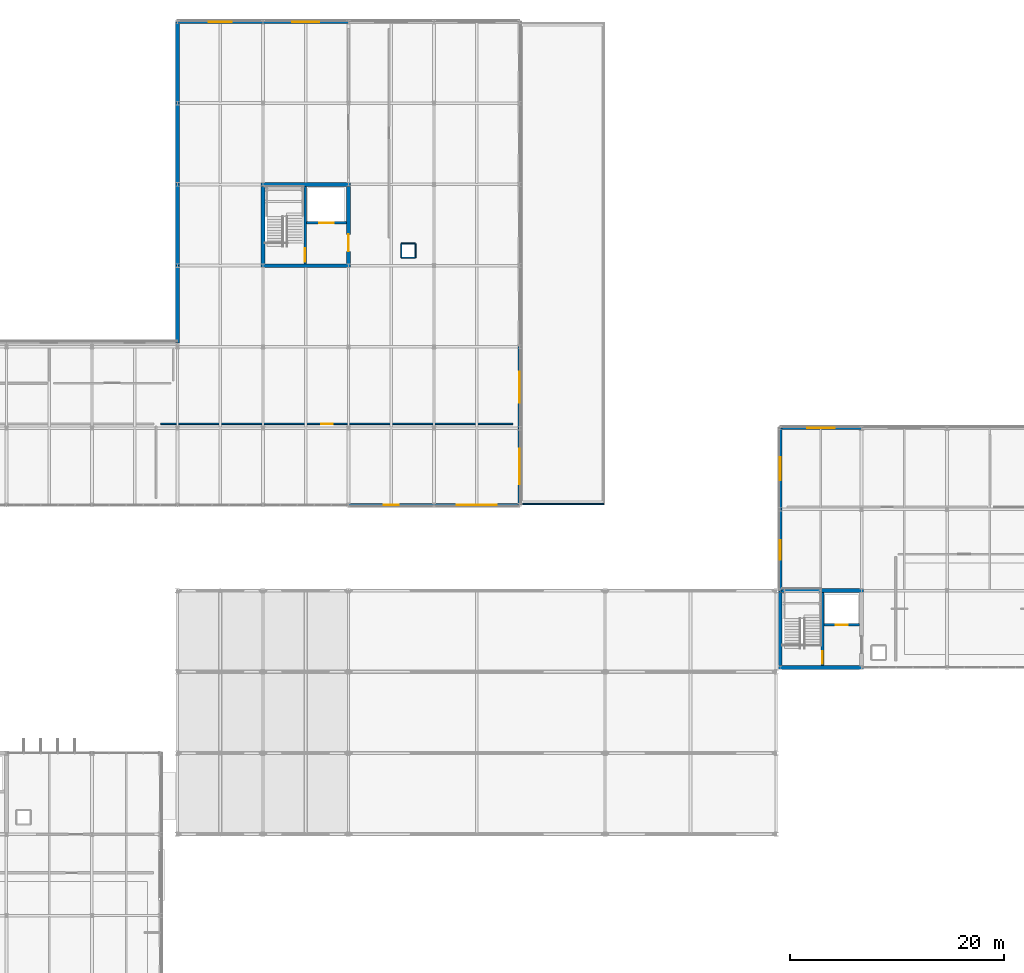
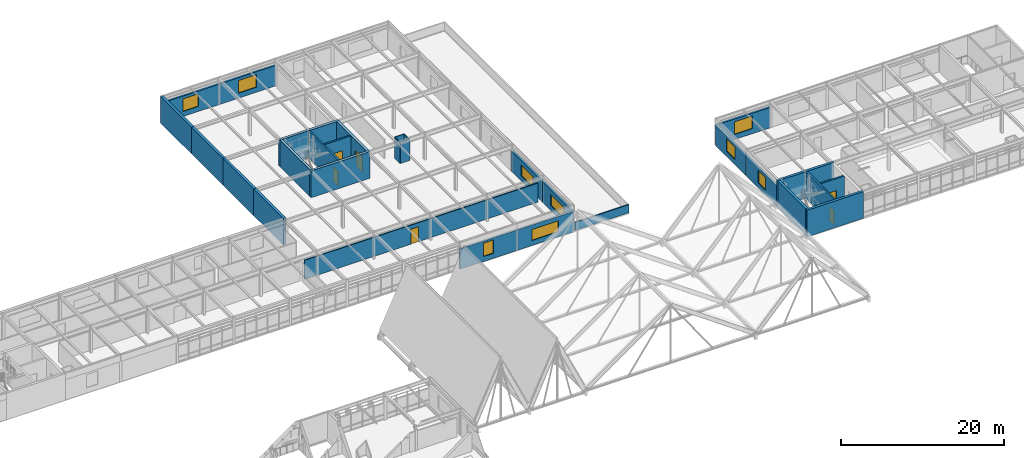
# One storey, part 72 of 85: 30 walls, 9 windows, 6 doors, 15 openings.
"""IFC4 building model written with IfcOpenShell, lengths in metres."""

from ifc_helpers import new_model, si_unit, direction, frame, frame_2d, origin, place, context, subcontext, project, spatial, rectangle, extrude, material, layer, layer_set, type_object, element, fill, save


model = new_model("IFC4")

# Units and contexts
model_context = context("Model", 3, precision=1e-05, world=origin(), true_north=direction((0.0, 1.0)))
body_context = subcontext(model_context, "Body", "Model", "MODEL_VIEW")
ifc_project = project(units=[si_unit("LENGTHUNIT", "METRE"), si_unit("AREAUNIT", "SQUARE_METRE"), si_unit("VOLUMEUNIT", "CUBIC_METRE"), si_unit("PLANEANGLEUNIT", "RADIAN"), si_unit("MASSUNIT", "GRAM", prefix="KILO")], contexts=[model_context])

# Site, building, storey
site_placement = place(None, origin())
site = spatial("IfcSite", under=ifc_project, at=site_placement, CompositionType="ELEMENT")
building_placement = place(site_placement, origin())
building = spatial("IfcBuilding", under=site, at=building_placement, Name="Zulena Civic Courthouse", CompositionType="ELEMENT")
storey_placement = place(building_placement, frame((0.0, 0.0, 25.199951171875)))
storey = spatial("IfcBuildingStorey", under=building, at=storey_placement, Name="L05", CompositionType="ELEMENT", Elevation=25.199951171875)

# Wall, opening, door
ifc_material_1 = material(Name="Concrete C40/50", Category="concrete")
ifc_layer_1 = layer(ifc_material_1, 0.25)
ifc_layer_set_1 = layer_set([ifc_layer_1], Name="Concrete C40/50")
wall_type_1 = type_object("IfcWallType", Name="CoreShearWall_RC250", PredefinedType="SHEAR", material=ifc_layer_set_1)
wall_1_placement = place(storey_placement, frame((128.35009765625, 30.97509765625, 0.0), z_axis=(0.0, 0.0, 1.0), x_axis=(0.0, 1.0, 0.0)))
wall_1 = element("IfcWall", 1, at=wall_1_placement, inside=storey, type_object=wall_type_1, Name="cwall:K3A:L05:DIV", PredefinedType="SHEAR", context=body_context, shape_type="SweptSolid", body=[
    extrude(rectangle(XDim=6.849853515625, YDim=0.25, at=frame_2d((3.4248046875, 0.0))), origin(), (0.0, 0.0, 1.0), 3.989990234375),
])
opening_1_placement = place(wall_1_placement, frame((0.179931640625, 0.0, 0.0)))
opening_1 = element("IfcOpeningElement", 2, at=opening_1_placement, cuts=wall_1, Name="Opening ID08", PredefinedType="OPENING", context=body_context, shape_type="SweptSolid", body=[
    extrude(rectangle(XDim=1.14990234375, YDim=2.199951171875, at=frame_2d((0.574951171875, 1.10009765625))), frame((0.0, 0.135009765625, 0.0), z_axis=(0.0, -1.0, 0.0), x_axis=(1.0, 0.0, 0.0)), (0.0, 0.0, 1.0), 0.27001953125),
])
ifc_material_2 = material(Name="Fire-rated galvanised steel ASTM A653 Grade 50", Category="steel")
door_type_1 = type_object("IfcDoorType", Name="IntDoor_Stair_1150x2200", OperationType="NOTDEFINED", PredefinedType="DOOR", material=ifc_material_2)
door_1_placement = place(opening_1_placement, origin())
door_1 = element("IfcDoor", 3, at=door_1_placement, inside=storey, type_object=door_type_1, Name="door:stair:K3A:L05", OperationType="SINGLE_SWING_RIGHT", OverallHeight=2.199951171875, OverallWidth=1.14990234375, PredefinedType="DOOR", context=body_context, shape_type="SweptSolid", body=[
    extrude(rectangle(XDim=1.14990234375, YDim=2.199951171875, at=frame_2d((0.574951171875, 1.10009765625))), frame((0.0, 0.02490234375, 0.0), z_axis=(0.0, -1.0, 0.0), x_axis=(1.0, 0.0, 0.0)), (0.0, 0.0, 1.0), 0.050048828125),
])
fill(opening_1, door_1)

wall_2_placement = place(storey_placement, frame((128.47509765625, 34.800048828125, 0.0), z_axis=(0.0, 0.0, 1.0), x_axis=(1.0, 0.0, 0.0)))
wall_2 = element("IfcWall", 4, at=wall_2_placement, inside=storey, type_object=wall_type_1, Name="cwall:K3A:L05:SHF", PredefinedType="SHEAR", context=body_context, shape_type="SweptSolid", body=[
    extrude(rectangle(XDim=3.349853515625, YDim=0.25, at=frame_2d((1.6748046875, 0.0))), origin(), (0.0, 0.0, 1.0), 3.989990234375),
])
opening_2_placement = place(wall_2_placement, frame((1.1201171875, 0.0, 0.0)))
opening_2 = element("IfcOpeningElement", 5, at=opening_2_placement, cuts=wall_2, Name="Opening LD02", PredefinedType="OPENING", context=body_context, shape_type="SweptSolid", body=[
    extrude(rectangle(XDim=1.10009765625, YDim=2.199951171875, at=frame_2d((0.550048828125, 1.10009765625))), frame((0.0, 0.135009765625, 0.0), z_axis=(0.0, -1.0, 0.0), x_axis=(1.0, 0.0, 0.0)), (0.0, 0.0, 1.0), 0.27001953125),
])
door_type_2 = type_object("IfcDoorType", Name="LiftLandingDoor_Pass_1100x2200", OperationType="SLIDING_TO_LEFT", PredefinedType="DOOR", material=ifc_material_2)
door_2_placement = place(opening_2_placement, origin())
door_2 = element("IfcDoor", 6, at=door_2_placement, inside=storey, type_object=door_type_2, Name="door:ld:PL-02:L05", OperationType="SLIDING_TO_LEFT", OverallHeight=2.199951171875, OverallWidth=1.10009765625, PredefinedType="DOOR", context=body_context, shape_type="SweptSolid", body=[
    extrude(rectangle(XDim=1.10009765625, YDim=2.199951171875, at=frame_2d((0.550048828125, 1.10009765625))), frame((0.0, 0.02490234375, 0.0), z_axis=(0.0, -1.0, 0.0), x_axis=(1.0, 0.0, 0.0)), (0.0, 0.0, 1.0), 0.050048828125),
])
fill(opening_2, door_2)

wall_3_placement = place(storey_placement, frame((79.949951171875, 68.574951171875, 0.0), z_axis=(0.0, 0.0, 1.0), x_axis=(0.0, 1.0, 0.0)))
wall_3 = element("IfcWall", 7, at=wall_3_placement, inside=storey, type_object=wall_type_1, Name="cwall:K5B:L05:DIV", PredefinedType="SHEAR", context=body_context, shape_type="SweptSolid", body=[
    extrude(rectangle(XDim=7.25, YDim=0.25, at=frame_2d((3.625, 0.0))), origin(), (0.0, 0.0, 1.0), 3.989990234375),
])
opening_3_placement = place(wall_3_placement, frame((0.179931640625, 0.0, 0.0)))
opening_3 = element("IfcOpeningElement", 8, at=opening_3_placement, cuts=wall_3, Name="Opening ID06", PredefinedType="OPENING", context=body_context, shape_type="SweptSolid", body=[
    extrude(rectangle(XDim=1.25, YDim=2.199951171875, at=frame_2d((0.625, 1.10009765625))), frame((0.0, 0.135009765625, 0.0), z_axis=(0.0, -1.0, 0.0), x_axis=(1.0, 0.0, 0.0)), (0.0, 0.0, 1.0), 0.27001953125),
])
door_type_3 = type_object("IfcDoorType", Name="IntDoor_Stair_1250x2200", OperationType="NOTDEFINED", PredefinedType="DOOR", material=ifc_material_2)
door_3_placement = place(opening_3_placement, origin())
door_3 = element("IfcDoor", 9, at=door_3_placement, inside=storey, type_object=door_type_3, Name="door:stair:K5B:L05", OperationType="SINGLE_SWING_RIGHT", OverallHeight=2.199951171875, OverallWidth=1.25, PredefinedType="DOOR", context=body_context, shape_type="SweptSolid", body=[
    extrude(rectangle(XDim=1.25, YDim=2.199951171875, at=frame_2d((0.625, 1.10009765625))), frame((0.0, 0.02490234375, 0.0), z_axis=(0.0, -1.0, 0.0), x_axis=(1.0, 0.0, 0.0)), (0.0, 0.0, 1.0), 0.050048828125),
])
fill(opening_3, door_3)

wall_4_placement = place(storey_placement, frame((80.074951171875, 72.39990234375, 0.0), z_axis=(0.0, 0.0, 1.0), x_axis=(1.0, 0.0, 0.0)))
wall_4 = element("IfcWall", 10, at=wall_4_placement, inside=storey, type_object=wall_type_1, Name="cwall:K5B:L05:SHF", PredefinedType="SHEAR", context=body_context, shape_type="SweptSolid", body=[
    extrude(rectangle(XDim=3.75, YDim=0.25, at=frame_2d((1.875, 0.0))), origin(), (0.0, 0.0, 1.0), 3.989990234375),
])
opening_4_placement = place(wall_4_placement, frame((1.195068359375, 0.0, 0.0)))
opening_4 = element("IfcOpeningElement", 11, at=opening_4_placement, cuts=wall_4, Name="Opening LD04", PredefinedType="OPENING", context=body_context, shape_type="SweptSolid", body=[
    extrude(rectangle(XDim=1.35009765625, YDim=2.199951171875, at=frame_2d((0.675048828125, 1.10009765625))), frame((0.0, 0.135009765625, 0.0), z_axis=(0.0, -1.0, 0.0), x_axis=(1.0, 0.0, 0.0)), (0.0, 0.0, 1.0), 0.27001953125),
])
door_type_4 = type_object("IfcDoorType", Name="LiftLandingDoor_Goods_1350x2300", OperationType="DOUBLE_DOOR_SLIDING", PredefinedType="DOOR", material=ifc_material_2)
door_4_placement = place(opening_4_placement, origin())
door_4 = element("IfcDoor", 12, at=door_4_placement, inside=storey, type_object=door_type_4, Name="door:ld:CL-02:L05", OperationType="DOUBLE_DOOR_SLIDING", OverallHeight=2.199951171875, OverallWidth=1.35009765625, PredefinedType="DOOR", context=body_context, shape_type="SweptSolid", body=[
    extrude(rectangle(XDim=1.35009765625, YDim=2.199951171875, at=frame_2d((0.675048828125, 1.10009765625))), frame((0.0, 0.02490234375, 0.0), z_axis=(0.0, -1.0, 0.0), x_axis=(1.0, 0.0, 0.0)), (0.0, 0.0, 1.0), 0.050048828125),
])
fill(opening_4, door_4)

# Walls
ifc_layer_2 = layer(ifc_material_1, 0.35009765625)
ifc_layer_set_2 = layer_set([ifc_layer_2], Name="Concrete C40/50")
wall_type_2 = type_object("IfcWallType", Name="CoreShearWall_RC350", PredefinedType="SHEAR", material=ifc_layer_set_2)
for number, where, z_axis, x_axis, name in (
    (13, (124.22509765625, 30.800048828125, 0.0), (0.0, 0.0, 1.0), (1.0, 0.0, 0.0), "cwall:K3A:L05:S"),
    (14, (124.22509765625, 38.0, 0.0), (0.0, 0.0, 1.0), (1.0, 0.0, 0.0), "cwall:K3A:L05:N"),
):
    element("IfcWall", number, at=place(storey_placement, frame(where, z_axis=z_axis, x_axis=x_axis)), inside=storey, type_object=wall_type_2, Name=name, PredefinedType="SHEAR", context=body_context, shape_type="SweptSolid", body=[
        extrude(rectangle(XDim=7.949951171875, YDim=0.35009765625, at=frame_2d((3.97509765625, 0.0))), origin(), (0.0, 0.0, 1.0), 3.989990234375),
    ])
wall_5_placement = place(storey_placement, frame((124.39990234375, 30.97509765625, 0.0), z_axis=(0.0, 0.0, 1.0), x_axis=(0.0, 1.0, 0.0)))
element("IfcWall", 15, at=wall_5_placement, inside=storey, type_object=wall_type_2, Name="cwall:K3A:L05:W", PredefinedType="SHEAR", context=body_context, shape_type="SweptSolid", body=[
    extrude(rectangle(XDim=6.849853515625, YDim=0.35009765625, at=frame_2d((3.4248046875, 0.0))), origin(), (0.0, 0.0, 1.0), 3.989990234375),
])
for number, where, z_axis, x_axis, name in (
    (16, (75.824951171875, 68.39990234375, 0.0), (0.0, 0.0, 1.0), (1.0, 0.0, 0.0), "cwall:K5B:L05:S"),
    (17, (75.824951171875, 76.0, 0.0), (0.0, 0.0, 1.0), (1.0, 0.0, 0.0), "cwall:K5B:L05:N"),
):
    element("IfcWall", number, at=place(storey_placement, frame(where, z_axis=z_axis, x_axis=x_axis)), inside=storey, type_object=wall_type_2, Name=name, PredefinedType="SHEAR", context=body_context, shape_type="SweptSolid", body=[
        extrude(rectangle(XDim=8.35009765625, YDim=0.35009765625, at=frame_2d((4.175048828125, 0.0))), origin(), (0.0, 0.0, 1.0), 3.989990234375),
    ])
wall_6_placement = place(storey_placement, frame((76.0, 68.574951171875, 0.0), z_axis=(0.0, 0.0, 1.0), x_axis=(0.0, 1.0, 0.0)))
element("IfcWall", 18, at=wall_6_placement, inside=storey, type_object=wall_type_2, Name="cwall:K5B:L05:W", PredefinedType="SHEAR", context=body_context, shape_type="SweptSolid", body=[
    extrude(rectangle(XDim=7.25, YDim=0.35009765625, at=frame_2d((3.625, 0.0))), origin(), (0.0, 0.0, 1.0), 3.989990234375),
])

# Wall, opening, door
wall_7_placement = place(storey_placement, frame((84.0, 68.574951171875, 0.0), z_axis=(0.0, 0.0, 1.0), x_axis=(0.0, 1.0, 0.0)))
wall_7 = element("IfcWall", 19, at=wall_7_placement, inside=storey, type_object=wall_type_2, Name="cwall:K5B:L05:E", PredefinedType="SHEAR", context=body_context, shape_type="SweptSolid", body=[
    extrude(rectangle(XDim=7.25, YDim=0.35009765625, at=frame_2d((3.625, 0.0))), origin(), (0.0, 0.0, 1.0), 3.989990234375),
])
opening_5_placement = place(wall_7_placement, frame((1.14990234375, 0.0, 0.0)))
opening_5 = element("IfcOpeningElement", 20, at=opening_5_placement, cuts=wall_7, Name="Opening ID04", PredefinedType="OPENING", context=body_context, shape_type="SweptSolid", body=[
    extrude(rectangle(XDim=1.60009765625, YDim=2.35009765625, at=frame_2d((0.800048828125, 1.175048828125))), frame((0.0, 0.18505859375, 0.0), z_axis=(0.0, -1.0, 0.0), x_axis=(1.0, 0.0, 0.0)), (0.0, 0.0, 1.0), 0.3701171875),
])
ifc_material_3 = material(Name="Solid-core acoustic hardwood timber", Category="wood")
door_type_5 = type_object("IfcDoorType", Name="IntDoor_CourtPublic_1600x2350", OperationType="DOUBLE_DOOR_SINGLE_SWING", PredefinedType="DOOR", material=ifc_material_3)
door_5_placement = place(opening_5_placement, origin())
door_5 = element("IfcDoor", 21, at=door_5_placement, inside=storey, type_object=door_type_5, Name="door:corelob:K5B:L05", OperationType="DOUBLE_DOOR_SINGLE_SWING", OverallHeight=2.35009765625, OverallWidth=1.60009765625, PredefinedType="DOOR", context=body_context, shape_type="SweptSolid", body=[
    extrude(rectangle(XDim=1.60009765625, YDim=2.35009765625, at=frame_2d((0.800048828125, 1.175048828125))), frame((0.0, 0.02490234375, 0.0), z_axis=(0.0, -1.0, 0.0), x_axis=(1.0, 0.0, 0.0)), (0.0, 0.0, 1.0), 0.050048828125),
])
fill(opening_5, door_5)

# Wall, opening, window
ifc_material_4 = material(Name="Buff architectural precast concrete C40/50", Category="concrete")
ifc_layer_3 = layer(ifc_material_4, 0.264892578125)
ifc_layer_set_3 = layer_set([ifc_layer_3], Name="Buff architectural precast concrete C40/50")
wall_type_3 = type_object("IfcWallType", Name="ExtWall_BuffPrecast_265", PredefinedType="STANDARD", material=ifc_layer_set_3)
wall_8_placement = place(storey_placement, frame((67.97998046875, 91.199951171875, 0.0), z_axis=(0.0, 0.0, 1.0), x_axis=(1.0, 0.0, 0.0)))
wall_8 = element("IfcWall", 22, at=wall_8_placement, inside=storey, type_object=wall_type_3, Name="ewall:V5:L05:3:0", PredefinedType="STANDARD", context=body_context, shape_type="SweptSolid", body=[
    extrude(rectangle(XDim=8.0400390625, YDim=0.264892578125, at=frame_2d((4.02001953125, 0.0))), origin(), (0.0, 0.0, 1.0), 3.06005859375),
])
opening_6_placement = place(wall_8_placement, frame((2.945068359375, 0.0, 0.75)))
opening_6 = element("IfcOpeningElement", 23, at=opening_6_placement, cuts=wall_8, Name="Opening WN38", PredefinedType="OPENING", context=body_context, shape_type="SweptSolid", body=[
    extrude(rectangle(XDim=2.14990234375, YDim=1.89990234375, at=frame_2d((1.074951171875, 0.949951171875))), frame((0.0, 0.142333984375, 0.0), z_axis=(0.0, -1.0, 0.0), x_axis=(1.0, 0.0, 0.0)), (0.0, 0.0, 1.0), 0.284912109375),
])
ifc_material_5 = material(Name="Double-silver low-E laminated solar-control glass", Category="glass")
window_type_1 = type_object("IfcWindowType", Name="Win_2150x1900", PartitioningType="DOUBLE_PANEL_VERTICAL", PredefinedType="WINDOW", material=ifc_material_5)
window_1_placement = place(opening_6_placement, origin())
window_1 = element("IfcWindow", 24, at=window_1_placement, inside=storey, type_object=window_type_1, Name="win:V5:L05:3:0", OverallHeight=1.89990234375, OverallWidth=2.14990234375, PartitioningType="SINGLE_PANEL", PredefinedType="WINDOW", context=body_context, shape_type="SweptSolid", body=[
    extrude(rectangle(XDim=2.14990234375, YDim=1.89990234375, at=frame_2d((1.074951171875, 0.949951171875))), frame((0.0, 0.030029296875, 0.0), z_axis=(0.0, -1.0, 0.0), x_axis=(1.0, 0.0, 0.0)), (0.0, 0.0, 1.0), 0.06005859375),
])
fill(opening_6, window_1)

wall_9_placement = place(storey_placement, frame((75.97998046875, 91.199951171875, 0.0), z_axis=(0.0, 0.0, 1.0), x_axis=(1.0, 0.0, 0.0)))
wall_9 = element("IfcWall", 25, at=wall_9_placement, inside=storey, type_object=wall_type_3, Name="ewall:V5:L05:3:1", PredefinedType="STANDARD", context=body_context, shape_type="SweptSolid", body=[
    extrude(rectangle(XDim=8.0400390625, YDim=0.264892578125, at=frame_2d((4.02001953125, 0.0))), origin(), (0.0, 0.0, 1.0), 3.06005859375),
])
opening_7_placement = place(wall_9_placement, frame((2.7451171875, 0.0, 0.75)))
opening_7 = element("IfcOpeningElement", 26, at=opening_7_placement, cuts=wall_9, Name="Opening WN39", PredefinedType="OPENING", context=body_context, shape_type="SweptSolid", body=[
    extrude(rectangle(XDim=2.550048828125, YDim=1.89990234375, at=frame_2d((1.27490234375, 0.949951171875))), frame((0.0, 0.142333984375, 0.0), z_axis=(0.0, -1.0, 0.0), x_axis=(1.0, 0.0, 0.0)), (0.0, 0.0, 1.0), 0.284912109375),
])
window_type_2 = type_object("IfcWindowType", Name="Win_2550x1900", PartitioningType="DOUBLE_PANEL_VERTICAL", PredefinedType="WINDOW", material=ifc_material_5)
window_2_placement = place(opening_7_placement, origin())
window_2 = element("IfcWindow", 27, at=window_2_placement, inside=storey, type_object=window_type_2, Name="win:V5:L05:3:1", OverallHeight=1.89990234375, OverallWidth=2.550048828125, PartitioningType="SINGLE_PANEL", PredefinedType="WINDOW", context=body_context, shape_type="SweptSolid", body=[
    extrude(rectangle(XDim=2.550048828125, YDim=1.89990234375, at=frame_2d((1.27490234375, 0.949951171875))), frame((0.0, 0.030029296875, 0.0), z_axis=(0.0, -1.0, 0.0), x_axis=(1.0, 0.0, 0.0)), (0.0, 0.0, 1.0), 0.06005859375),
])
fill(opening_7, window_2)

wall_10_placement = place(storey_placement, frame((100.0, 60.820068359375, 0.0), z_axis=(0.0, 0.0, 1.0), x_axis=(0.0, -1.0, 0.0)))
wall_10 = element("IfcWall", 28, at=wall_10_placement, inside=storey, type_object=wall_type_3, Name="ewall:V5:L05:4:4", PredefinedType="STANDARD", context=body_context, shape_type="SweptSolid", body=[
    extrude(rectangle(XDim=7.64013671875, YDim=0.264892578125, at=frame_2d((3.820068359375, 0.0))), origin(), (0.0, 0.0, 1.0), 3.06005859375),
])
opening_8_placement = place(wall_10_placement, frame((2.3701171875, 0.0, 0.75)))
opening_8 = element("IfcOpeningElement", 29, at=opening_8_placement, cuts=wall_10, Name="Opening WN46", PredefinedType="OPENING", context=body_context, shape_type="SweptSolid", body=[
    extrude(rectangle(XDim=2.89990234375, YDim=1.64990234375, at=frame_2d((1.449951171875, 0.824951171875))), frame((0.0, 0.142333984375, 0.0), z_axis=(0.0, -1.0, 0.0), x_axis=(1.0, 0.0, 0.0)), (0.0, 0.0, 1.0), 0.284912109375),
])
window_type_3 = type_object("IfcWindowType", Name="Win_2900x1650", PartitioningType="DOUBLE_PANEL_VERTICAL", PredefinedType="WINDOW", material=ifc_material_5)
window_3_placement = place(opening_8_placement, origin())
window_3 = element("IfcWindow", 30, at=window_3_placement, inside=storey, type_object=window_type_3, Name="win:V5:L05:4:4", OverallHeight=1.64990234375, OverallWidth=2.89990234375, PartitioningType="SINGLE_PANEL", PredefinedType="WINDOW", context=body_context, shape_type="SweptSolid", body=[
    extrude(rectangle(XDim=2.89990234375, YDim=1.64990234375, at=frame_2d((1.449951171875, 0.824951171875))), frame((0.0, 0.030029296875, 0.0), z_axis=(0.0, -1.0, 0.0), x_axis=(1.0, 0.0, 0.0)), (0.0, 0.0, 1.0), 0.06005859375),
])
fill(opening_8, window_3)

wall_11_placement = place(storey_placement, frame((100.0, 53.219970703125, 0.0), z_axis=(0.0, 0.0, 1.0), x_axis=(0.0, -1.0, 0.0)))
wall_11 = element("IfcWall", 31, at=wall_11_placement, inside=storey, type_object=wall_type_3, Name="ewall:V5:L05:4:5", PredefinedType="STANDARD", context=body_context, shape_type="SweptSolid", body=[
    extrude(rectangle(XDim=7.239990234375, YDim=0.264892578125, at=frame_2d((3.6201171875, 0.0))), origin(), (0.0, 0.0, 1.0), 3.06005859375),
])
opening_9_placement = place(wall_11_placement, frame((1.969970703125, 0.0, 0.75)))
opening_9 = element("IfcOpeningElement", 32, at=opening_9_placement, cuts=wall_11, Name="Opening WN47", PredefinedType="OPENING", context=body_context, shape_type="SweptSolid", body=[
    extrude(rectangle(XDim=3.300048828125, YDim=1.64990234375, at=frame_2d((1.64990234375, 0.824951171875))), frame((0.0, 0.142333984375, 0.0), z_axis=(0.0, -1.0, 0.0), x_axis=(1.0, 0.0, 0.0)), (0.0, 0.0, 1.0), 0.284912109375),
])
window_type_4 = type_object("IfcWindowType", Name="Win_3300x1650", PartitioningType="DOUBLE_PANEL_VERTICAL", PredefinedType="WINDOW", material=ifc_material_5)
window_4_placement = place(opening_9_placement, origin())
window_4 = element("IfcWindow", 33, at=window_4_placement, inside=storey, type_object=window_type_4, Name="win:V5:L05:4:5", OverallHeight=1.64990234375, OverallWidth=3.300048828125, PartitioningType="SINGLE_PANEL", PredefinedType="WINDOW", context=body_context, shape_type="SweptSolid", body=[
    extrude(rectangle(XDim=3.300048828125, YDim=1.64990234375, at=frame_2d((1.64990234375, 0.824951171875))), frame((0.0, 0.030029296875, 0.0), z_axis=(0.0, -1.0, 0.0), x_axis=(1.0, 0.0, 0.0)), (0.0, 0.0, 1.0), 0.06005859375),
])
fill(opening_9, window_4)

wall_12_placement = place(storey_placement, frame((100.02001953125, 46.0, 0.0), z_axis=(0.0, 0.0, 1.0), x_axis=(-1.0, 0.0, 0.0)))
wall_12 = element("IfcWall", 34, at=wall_12_placement, inside=storey, type_object=wall_type_3, Name="ewall:V5:L05:5:0", PredefinedType="STANDARD", context=body_context, shape_type="SweptSolid", body=[
    extrude(rectangle(XDim=8.0400390625, YDim=0.264892578125, at=frame_2d((4.02001953125, 0.0))), origin(), (0.0, 0.0, 1.0), 3.06005859375),
])
opening_10_placement = place(wall_12_placement, frame((2.169921875, 0.0, 0.75)))
opening_10 = element("IfcOpeningElement", 35, at=opening_10_placement, cuts=wall_12, Name="Opening WN48", PredefinedType="OPENING", context=body_context, shape_type="SweptSolid", body=[
    extrude(rectangle(XDim=3.699951171875, YDim=1.64990234375, at=frame_2d((1.85009765625, 0.824951171875))), frame((0.0, 0.142333984375, 0.0), z_axis=(0.0, -1.0, 0.0), x_axis=(1.0, 0.0, 0.0)), (0.0, 0.0, 1.0), 0.284912109375),
])
window_type_5 = type_object("IfcWindowType", Name="Win_3700x1650", PartitioningType="DOUBLE_PANEL_VERTICAL", PredefinedType="WINDOW", material=ifc_material_5)
window_5_placement = place(opening_10_placement, origin())
window_5 = element("IfcWindow", 36, at=window_5_placement, inside=storey, type_object=window_type_5, Name="win:V5:L05:5:0", OverallHeight=1.64990234375, OverallWidth=3.699951171875, PartitioningType="SINGLE_PANEL", PredefinedType="WINDOW", context=body_context, shape_type="SweptSolid", body=[
    extrude(rectangle(XDim=3.699951171875, YDim=1.64990234375, at=frame_2d((1.85009765625, 0.824951171875))), frame((0.0, 0.030029296875, 0.0), z_axis=(0.0, -1.0, 0.0), x_axis=(1.0, 0.0, 0.0)), (0.0, 0.0, 1.0), 0.06005859375),
])
fill(opening_10, window_5)

wall_13_placement = place(storey_placement, frame((92.02001953125, 46.0, 0.0), z_axis=(0.0, 0.0, 1.0), x_axis=(-1.0, 0.0, 0.0)))
wall_13 = element("IfcWall", 37, at=wall_13_placement, inside=storey, type_object=wall_type_3, Name="ewall:V5:L05:5:1", PredefinedType="STANDARD", context=body_context, shape_type="SweptSolid", body=[
    extrude(rectangle(XDim=8.0400390625, YDim=0.264892578125, at=frame_2d((4.02001953125, 0.0))), origin(), (0.0, 0.0, 1.0), 3.06005859375),
])
opening_11_placement = place(wall_13_placement, frame((3.320068359375, 0.0, 0.75)))
opening_11 = element("IfcOpeningElement", 38, at=opening_11_placement, cuts=wall_13, Name="Opening WN01", PredefinedType="OPENING", context=body_context, shape_type="SweptSolid", body=[
    extrude(rectangle(XDim=1.39990234375, YDim=2.0, at=frame_2d((0.699951171875, 1.0))), frame((0.0, 0.142333984375, 0.0), z_axis=(0.0, -1.0, 0.0), x_axis=(1.0, 0.0, 0.0)), (0.0, 0.0, 1.0), 0.284912109375),
])
window_type_6 = type_object("IfcWindowType", Name="Win_1400x2000", PartitioningType="SINGLE_PANEL", PredefinedType="WINDOW", material=ifc_material_5)
window_6_placement = place(opening_11_placement, origin())
window_6 = element("IfcWindow", 39, at=window_6_placement, inside=storey, type_object=window_type_6, Name="win:V5:L05:5:1", OverallHeight=2.0, OverallWidth=1.39990234375, PartitioningType="SINGLE_PANEL", PredefinedType="WINDOW", context=body_context, shape_type="SweptSolid", body=[
    extrude(rectangle(XDim=1.39990234375, YDim=2.0, at=frame_2d((0.699951171875, 1.0))), frame((0.0, 0.030029296875, 0.0), z_axis=(0.0, -1.0, 0.0), x_axis=(1.0, 0.0, 0.0)), (0.0, 0.0, 1.0), 0.06005859375),
])
fill(opening_11, window_6)

# Walls
ifc_layer_4 = layer(ifc_material_1, 0.360107421875)
ifc_layer_set_4 = layer_set([ifc_layer_4], Name="Concrete C40/50")
wall_type_4 = type_object("IfcWallType", Name="ExtWall_PartyWall_360", PredefinedType="STANDARD", material=ifc_layer_set_4)
wall_14_placement = place(storey_placement, frame((68.0, 61.179931640625, 0.0), z_axis=(0.0, 0.0, 1.0), x_axis=(0.0, 1.0, 0.0)))
element("IfcWall", 40, at=wall_14_placement, inside=storey, type_object=wall_type_4, Name="ewall:V5:L05:2:0", PredefinedType="STANDARD", context=body_context, shape_type="SweptSolid", body=[
    extrude(rectangle(XDim=7.239990234375, YDim=0.360107421875, at=frame_2d((3.6201171875, 0.0))), origin(), (0.0, 0.0, 1.0), 4.0),
])
for number, where, z_axis, x_axis, name in (
    (41, (68.0, 68.3798828125, 0.0), (0.0, 0.0, 1.0), (0.0, 1.0, 0.0), "ewall:V5:L05:2:1"),
    (42, (68.0, 75.97998046875, 0.0), (0.0, 0.0, 1.0), (0.0, 1.0, 0.0), "ewall:V5:L05:2:2"),
):
    element("IfcWall", number, at=place(storey_placement, frame(where, z_axis=z_axis, x_axis=x_axis)), inside=storey, type_object=wall_type_4, Name=name, PredefinedType="STANDARD", context=body_context, shape_type="SweptSolid", body=[
        extrude(rectangle(XDim=7.64013671875, YDim=0.360107421875, at=frame_2d((3.820068359375, 0.0))), origin(), (0.0, 0.0, 1.0), 4.0),
    ])
wall_15_placement = place(storey_placement, frame((68.0, 83.580078125, 0.0), z_axis=(0.0, 0.0, 1.0), x_axis=(0.0, 1.0, 0.0)))
element("IfcWall", 43, at=wall_15_placement, inside=storey, type_object=wall_type_4, Name="ewall:V5:L05:2:3", PredefinedType="STANDARD", context=body_context, shape_type="SweptSolid", body=[
    extrude(rectangle(XDim=7.639892578125, YDim=0.360107421875, at=frame_2d((3.81982421875, 0.0))), origin(), (0.0, 0.0, 1.0), 4.0),
])

# Wall, opening, window
ifc_material_6 = material(Name="Travertine-cream architectural precast concrete C40/50", Category="masonry")
ifc_layer_5 = layer(ifc_material_6, 0.280029296875)
ifc_layer_set_5 = layer_set([ifc_layer_5], Name="Travertine-cream architectural precast concrete C40/50")
wall_type_5 = type_object("IfcWallType", Name="ExtWall_TravPrecast_280", PredefinedType="STANDARD", material=ifc_layer_set_5)
wall_16_placement = place(storey_placement, frame((124.39990234375, 37.97998046875, 0.0), z_axis=(0.0, 0.0, 1.0), x_axis=(0.0, 1.0, 0.0)))
wall_16 = element("IfcWall", 44, at=wall_16_placement, inside=storey, type_object=wall_type_5, Name="ewall:V3:L05:0:1", PredefinedType="STANDARD", context=body_context, shape_type="SweptSolid", body=[
    extrude(rectangle(XDim=7.64013671875, YDim=0.280029296875, at=frame_2d((3.820068359375, 0.0))), origin(), (0.0, 0.0, 1.0), 3.06005859375),
])
opening_12_placement = place(wall_16_placement, frame((2.89501953125, 0.0, 0.75)))
opening_12 = element("IfcOpeningElement", 45, at=opening_12_placement, cuts=wall_16, Name="Opening WN37", PredefinedType="OPENING", context=body_context, shape_type="SweptSolid", body=[
    extrude(rectangle(XDim=1.85009765625, YDim=1.89990234375, at=frame_2d((0.925048828125, 0.949951171875))), frame((0.0, 0.14990234375, 0.0), z_axis=(0.0, -1.0, 0.0), x_axis=(1.0, 0.0, 0.0)), (0.0, 0.0, 1.0), 0.300048828125),
])
window_type_7 = type_object("IfcWindowType", Name="Win_1850x1900", PartitioningType="DOUBLE_PANEL_VERTICAL", PredefinedType="WINDOW", material=ifc_material_5)
window_7_placement = place(opening_12_placement, origin())
window_7 = element("IfcWindow", 46, at=window_7_placement, inside=storey, type_object=window_type_7, Name="win:V3:L05:0:1", OverallHeight=1.89990234375, OverallWidth=1.85009765625, PartitioningType="SINGLE_PANEL", PredefinedType="WINDOW", context=body_context, shape_type="SweptSolid", body=[
    extrude(rectangle(XDim=1.85009765625, YDim=1.89990234375, at=frame_2d((0.925048828125, 0.949951171875))), frame((0.0, 0.030029296875, 0.0), z_axis=(0.0, -1.0, 0.0), x_axis=(1.0, 0.0, 0.0)), (0.0, 0.0, 1.0), 0.06005859375),
])
fill(opening_12, window_7)

wall_17_placement = place(storey_placement, frame((124.39990234375, 45.580078125, 0.0), z_axis=(0.0, 0.0, 1.0), x_axis=(0.0, 1.0, 0.0)))
wall_17 = element("IfcWall", 47, at=wall_17_placement, inside=storey, type_object=wall_type_5, Name="ewall:V3:L05:0:2", PredefinedType="STANDARD", context=body_context, shape_type="SweptSolid", body=[
    extrude(rectangle(XDim=7.639892578125, YDim=0.280029296875, at=frame_2d((3.81982421875, 0.0))), origin(), (0.0, 0.0, 1.0), 3.06005859375),
])
opening_13_placement = place(wall_17_placement, frame((2.7451171875, 0.0, 0.75)))
opening_13 = element("IfcOpeningElement", 48, at=opening_13_placement, cuts=wall_17, Name="Opening WN38", PredefinedType="OPENING", context=body_context, shape_type="SweptSolid", body=[
    extrude(rectangle(XDim=2.14990234375, YDim=1.89990234375, at=frame_2d((1.074951171875, 0.949951171875))), frame((0.0, 0.14990234375, 0.0), z_axis=(0.0, -1.0, 0.0), x_axis=(1.0, 0.0, 0.0)), (0.0, 0.0, 1.0), 0.300048828125),
])
window_8_placement = place(opening_13_placement, origin())
window_8 = element("IfcWindow", 49, at=window_8_placement, inside=storey, type_object=window_type_1, Name="win:V3:L05:0:2", OverallHeight=1.89990234375, OverallWidth=2.14990234375, PartitioningType="SINGLE_PANEL", PredefinedType="WINDOW", context=body_context, shape_type="SweptSolid", body=[
    extrude(rectangle(XDim=2.14990234375, YDim=1.89990234375, at=frame_2d((1.074951171875, 0.949951171875))), frame((0.0, 0.030029296875, 0.0), z_axis=(0.0, -1.0, 0.0), x_axis=(1.0, 0.0, 0.0)), (0.0, 0.0, 1.0), 0.06005859375),
])
fill(opening_13, window_8)

wall_18_placement = place(storey_placement, frame((124.3798828125, 53.199951171875, 0.0), z_axis=(0.0, 0.0, 1.0), x_axis=(1.0, 0.0, 0.0)))
wall_18 = element("IfcWall", 50, at=wall_18_placement, inside=storey, type_object=wall_type_5, Name="ewall:V3:L05:1:0", PredefinedType="STANDARD", context=body_context, shape_type="SweptSolid", body=[
    extrude(rectangle(XDim=7.64013671875, YDim=0.280029296875, at=frame_2d((3.820068359375, 0.0))), origin(), (0.0, 0.0, 1.0), 3.06005859375),
])
opening_14_placement = place(wall_18_placement, frame((2.544921875, 0.0, 0.75)))
opening_14 = element("IfcOpeningElement", 51, at=opening_14_placement, cuts=wall_18, Name="Opening WN39", PredefinedType="OPENING", context=body_context, shape_type="SweptSolid", body=[
    extrude(rectangle(XDim=2.550048828125, YDim=1.89990234375, at=frame_2d((1.27490234375, 0.949951171875))), frame((0.0, 0.14990234375, 0.0), z_axis=(0.0, -1.0, 0.0), x_axis=(1.0, 0.0, 0.0)), (0.0, 0.0, 1.0), 0.300048828125),
])
window_9_placement = place(opening_14_placement, origin())
window_9 = element("IfcWindow", 52, at=window_9_placement, inside=storey, type_object=window_type_2, Name="win:V3:L05:1:0", OverallHeight=1.89990234375, OverallWidth=2.550048828125, PartitioningType="SINGLE_PANEL", PredefinedType="WINDOW", context=body_context, shape_type="SweptSolid", body=[
    extrude(rectangle(XDim=2.550048828125, YDim=1.89990234375, at=frame_2d((1.27490234375, 0.949951171875))), frame((0.0, 0.030029296875, 0.0), z_axis=(0.0, -1.0, 0.0), x_axis=(1.0, 0.0, 0.0)), (0.0, 0.0, 1.0), 0.06005859375),
])
fill(opening_14, window_9)

# Wall
ifc_layer_6 = layer(ifc_material_4, 0.169921875)
ifc_layer_set_6 = layer_set([ifc_layer_6], Name="Buff architectural precast concrete C40/50")
wall_type_6 = type_object("IfcWallType", Name="Parapet_Buff_170", PredefinedType="PARAPET", material=ifc_layer_set_6)
wall_19_placement = place(storey_placement, frame((100.300048828125, 46.10009765625, 0.0), z_axis=(0.0, 0.0, 1.0), x_axis=(1.0, 0.0, 0.0)))
element("IfcWall", 53, at=wall_19_placement, inside=storey, type_object=wall_type_6, Name="parapet:V5ES:0", PredefinedType="PARAPET", context=body_context, shape_type="SweptSolid", body=[
    extrude(rectangle(XDim=7.599853515625, YDim=0.169921875, at=frame_2d((3.7998046875, 0.0))), origin(), (0.0, 0.0, 1.0), 1.199951171875),
])

# Wall, opening, door
ifc_material_7 = material(Name="Acoustic fire-rated gypsum board assembly", Category="masonry")
ifc_layer_7 = layer(ifc_material_7, 0.14599609375)
ifc_layer_set_7 = layer_set([ifc_layer_7], Name="Acoustic fire-rated gypsum board assembly")
wall_type_7 = type_object("IfcWallType", Name="PartWall_Chambers_146", PredefinedType="PARTITIONING", material=ifc_layer_set_7)
wall_20_placement = place(storey_placement, frame((66.419921875, 53.60009765625, 0.0), z_axis=(0.0, 0.0, 1.0), x_axis=(1.0, 0.0, 0.0)))
wall_20 = element("IfcWall", 54, at=wall_20_placement, inside=storey, type_object=wall_type_7, Name="pwall:L05:414:0", PredefinedType="PARTITIONING", context=body_context, shape_type="SweptSolid", body=[
    extrude(rectangle(XDim=32.9599609375, YDim=0.14599609375, at=frame_2d((16.47998046875, 0.0))), origin(), (0.0, 0.0, 1.0), 2.85009765625),
])
opening_15_placement = place(wall_20_placement, frame((15.0400390625, 0.0, 0.0)))
opening_15 = element("IfcOpeningElement", 55, at=opening_15_placement, cuts=wall_20, Name="Opening ID26", PredefinedType="OPENING", context=body_context, shape_type="SweptSolid", body=[
    extrude(rectangle(XDim=1.080078125, YDim=2.25, at=frame_2d((0.5400390625, 1.125))), frame((0.0, 0.0830078125, 0.0), z_axis=(0.0, -1.0, 0.0), x_axis=(1.0, 0.0, 0.0)), (0.0, 0.0, 1.0), 0.166015625),
])
door_type_6 = type_object("IfcDoorType", Name="IntDoor_PlantSingle_1080x2250", OperationType="NOTDEFINED", PredefinedType="DOOR", material=ifc_material_2)
door_6_placement = place(opening_15_placement, origin())
door_6 = element("IfcDoor", 56, at=door_6_placement, inside=storey, type_object=door_type_6, Name="door:rm:L05:414", OperationType="SINGLE_SWING_RIGHT", OverallHeight=2.25, OverallWidth=1.080078125, PredefinedType="DOOR", context=body_context, shape_type="SweptSolid", body=[
    extrude(rectangle(XDim=1.080078125, YDim=2.25, at=frame_2d((0.5400390625, 1.125))), frame((0.0, 0.02490234375, 0.0), z_axis=(0.0, -1.0, 0.0), x_axis=(1.0, 0.0, 0.0)), (0.0, 0.0, 1.0), 0.050048828125),
])
fill(opening_15, door_6)

# Walls
ifc_material_8 = material(Name="Insulated blockwork masonry ASTM C90", Category="masonry")
ifc_layer_8 = layer(ifc_material_8, 0.114990234375)
ifc_layer_set_8 = layer_set([ifc_layer_8], Name="Insulated blockwork masonry ASTM C90")
wall_type_8 = type_object("IfcWallType", Name="PartWall_Riser_115", PredefinedType="PARTITIONING", material=ifc_layer_set_8)
for number, where, z_axis, x_axis, name in (
    (57, (88.93994140625, 69.139892578125, 0.0), (0.0, 0.0, 1.0), (1.0, 0.0, 0.0), "riser:RS-V5N:L05:0"),
    (58, (90.260009765625, 69.139892578125, 0.0), (0.0, 0.0, 1.0), (0.0, 1.0, 0.0), "riser:RS-V5N:L05:1"),
    (59, (90.260009765625, 70.4599609375, 0.0), (0.0, 0.0, 1.0), (-1.0, 0.0, 0.0), "riser:RS-V5N:L05:2"),
    (60, (88.93994140625, 70.4599609375, 0.0), (0.0, 0.0, 1.0), (0.0, -1.0, 0.0), "riser:RS-V5N:L05:3"),
):
    element("IfcWall", number, at=place(storey_placement, frame(where, z_axis=z_axis, x_axis=x_axis)), inside=storey, type_object=wall_type_8, Name=name, PredefinedType="PARTITIONING", context=body_context, shape_type="SweptSolid", body=[
        extrude(rectangle(XDim=1.320068359375, YDim=0.114990234375, at=frame_2d((0.66015625, 0.0))), origin(), (0.0, 0.0, 1.0), 3.150146484375),
    ])

save(model, "model.ifc")
